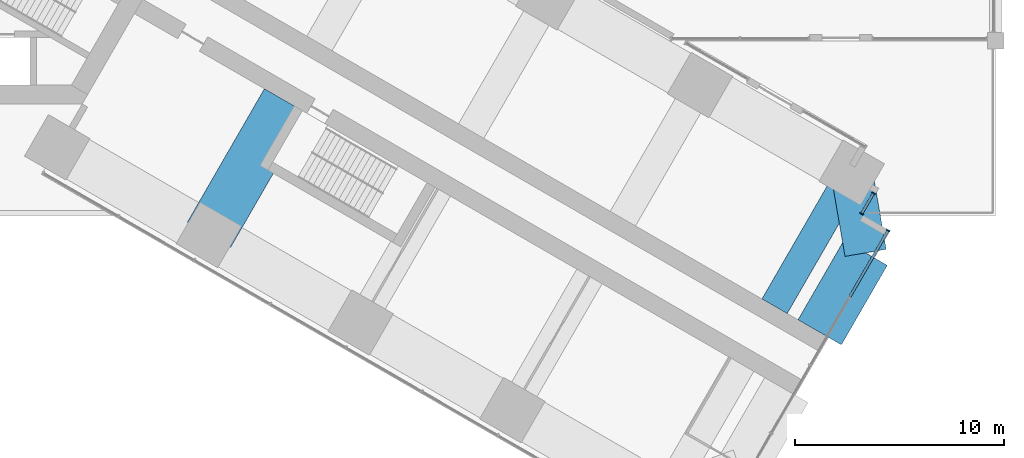
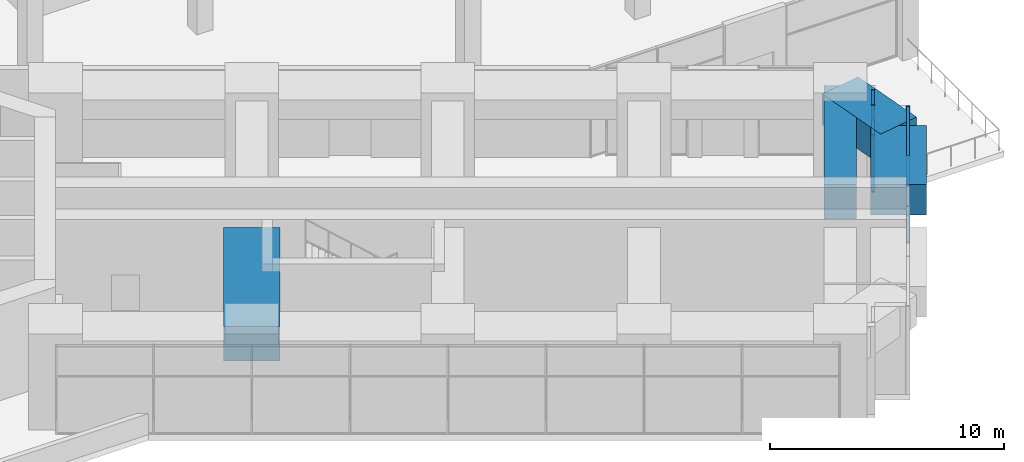
# One storey, part 12 of 33: 9 members, 4 beams, 2 elements without a shape of their own.
"""IFC4 building model written with IfcOpenShell, lengths in metres."""

from ifc_helpers import new_model, si_unit, direction, frame, origin, origin_2d, place, context, subcontext, project, spatial, rectangle, extrude, material, material_profile, profile_set, type_object, element, aggregate, save


model = new_model("IFC4")

# Units and contexts
model_context = context("Model", 3, precision=1e-05, world=origin(), true_north=direction((0.0, 1.0)))
body_context = subcontext(model_context, "Body", "Model", "MODEL_VIEW")
ifc_project = project(units=[si_unit("LENGTHUNIT", "METRE"), si_unit("AREAUNIT", "SQUARE_METRE"), si_unit("VOLUMEUNIT", "CUBIC_METRE"), si_unit("PLANEANGLEUNIT", "RADIAN"), si_unit("MASSUNIT", "GRAM", prefix="KILO")], contexts=[model_context])

# Site, building, storey
site_placement = place(None, origin())
site = spatial("IfcSite", under=ifc_project, at=site_placement, CompositionType="ELEMENT")
building_placement = place(site_placement, origin())
building = spatial("IfcBuilding", under=site, at=building_placement, Name="Impinga Residences", CompositionType="ELEMENT")
storey_placement = place(building_placement, frame((0.0, 0.0, 21.0)))
storey = spatial("IfcBuildingStorey", under=building, at=storey_placement, Name="L04", CompositionType="ELEMENT", Elevation=21.0)

# Beams
ifc_material_1 = material(Name="Concrete C60/75", Category="concrete")
ifc_material_profile_1 = material_profile(ifc_material_1, rectangle(XDim=2.0, YDim=1.60009765625, at=origin_2d()), Name="RC 2000x1600")
ifc_profile_set_1 = profile_set([ifc_material_profile_1], Name="Concrete C60/75")
beam_type_1 = type_object("IfcBeamType", Name="CB2 2000x1600 wing end cantilever beam", PredefinedType="BEAM", material=ifc_profile_set_1)
beam_1_placement = place(storey_placement, frame((43.49853515625, -14.721435546875, 3.800048828125), z_axis=(0.170296298948, -0.985392901621, 0.0), x_axis=(0.985392901621, 0.170296298948, 0.0)))
element("IfcBeam", 1, at=beam_1_placement, inside=storey, type_object=beam_type_1, Name="Beam CB2 EB E5-EX level L05", PredefinedType="BEAM", context=body_context, shape_type="SweptSolid", body=[
    extrude(rectangle(XDim=2.0, YDim=1.60009765625, at=origin_2d()), origin(), (0.0, 0.0, 1.0), 3.9052734375),
])
ifc_material_profile_2 = material_profile(ifc_material_1, rectangle(XDim=1.39990234375, YDim=1.800048828125, at=origin_2d()), Name="RC 1400x1800")
ifc_profile_set_2 = profile_set([ifc_material_profile_2], Name="Concrete C60/75")
beam_type_2 = type_object("IfcBeamType", Name="CG4 1400x1800 cross girder on a wing bay line under the podium floors", PredefinedType="BEAM", material=ifc_profile_set_2)
beam_2_placement = place(storey_placement, frame((39.79833984375, -21.130126953125, 3.699951171875), z_axis=(0.500013743233, 0.86601746898, 0.0), x_axis=(-0.86601746898, 0.500013743233, 0.0)))
element("IfcBeam", 2, at=beam_2_placement, inside=storey, type_object=beam_type_2, Name="Beam CG4 E5 EC/EA level L05", PredefinedType="BEAM", context=body_context, shape_type="SweptSolid", body=[
    extrude(rectangle(XDim=1.39990234375, YDim=1.800048828125, at=origin_2d()), origin(), (0.0, 0.0, 1.0), 7.400146484375),
])
ifc_material_profile_3 = material_profile(ifc_material_1, rectangle(XDim=2.39990234375, YDim=1.800048828125, at=origin_2d()), Name="RC 2400x1800")
ifc_profile_set_3 = profile_set([ifc_material_profile_3], Name="Concrete C60/75")
beam_type_3 = type_object("IfcBeamType", Name="CG6 2400x1800 cross girder on bay line 2 under the first tower floor", PredefinedType="BEAM", material=ifc_profile_set_3)
beam_3_placement = place(storey_placement, frame((16.37451171875, -11.301513671875, 3.699951171875), z_axis=(-0.500003285667, -0.866023506795, 0.0), x_axis=(0.866023506795, -0.500003285667, 0.0)))
element("IfcBeam", 3, at=beam_3_placement, inside=storey, type_object=beam_type_3, Name="Beam CG6 E2 EC/EF level L05", PredefinedType="BEAM", context=body_context, shape_type="SweptSolid", body=[
    extrude(rectangle(XDim=2.39990234375, YDim=1.800048828125, at=origin_2d()), origin(), (0.0, 0.0, 1.0), 7.39990234375),
])

# Curtain wall, members
ifc_material_2 = material(Name="Aluminium stick curtain wall", Category="aluminium")
curtain_wall_type = type_object("IfcCurtainWallType", Name="CW1 podium amenity curtain wall", PredefinedType="USERDEFINED", material=ifc_material_2)
curtain_wall_1_placement = place(storey_placement, origin())
curtain_wall_1 = element("IfcCurtainWall", 4, at=curtain_wall_1_placement, inside=storey, type_object=curtain_wall_type, Name="Curtain wall CW1 L04", ObjectType="STICK CURTAIN WALL", PredefinedType="USERDEFINED")
ifc_material_3 = material(Name="Aluminium mullion", Category="aluminium")
ifc_material_profile_4 = material_profile(ifc_material_3, rectangle(XDim=0.06005859375, YDim=0.179931640625, at=origin_2d()), Name="60x180 mullion")
ifc_profile_set_4 = profile_set([ifc_material_profile_4], Name="Aluminium mullion")
member_type_1 = type_object("IfcMemberType", Name="CW1-M mullion 60x180", PredefinedType="MULLION", material=ifc_profile_set_4)
member_1_placement = place(storey_placement, frame((44.5458984375, -15.707275390625, 0.0), z_axis=(0.0, 0.0, 1.0), x_axis=(-0.50000017485, -0.866025302835, 0.0)))
member_1 = element("IfcMember", 5, at=member_1_placement, type_object=member_type_1, Name="CW1 mullion 1", PredefinedType="MULLION", context=body_context, shape_type="SweptSolid", body=[
    extrude(rectangle(XDim=0.06005859375, YDim=0.179931640625, at=origin_2d()), origin(), (0.0, 0.0, 1.0), 4.60009765625),
])
member_2_placement = place(storey_placement, frame((43.975830078125, -16.694580078125, 0.0), z_axis=(0.0, 0.0, 1.0), x_axis=(-0.50000017485, -0.866025302835, 0.0)))
member_2 = element("IfcMember", 6, at=member_2_placement, type_object=member_type_1, Name="CW1 mullion 2", PredefinedType="MULLION", context=body_context, shape_type="SweptSolid", body=[
    extrude(rectangle(XDim=0.06005859375, YDim=0.179931640625, at=origin_2d()), origin(), (0.0, 0.0, 1.0), 4.60009765625),
])

# Curtain wall, member
curtain_wall_2_placement = place(storey_placement, origin())
curtain_wall_2 = element("IfcCurtainWall", 7, at=curtain_wall_2_placement, inside=storey, type_object=curtain_wall_type, Name="Curtain wall CW1 L04", ObjectType="STICK CURTAIN WALL", PredefinedType="USERDEFINED")
member_3_placement = place(storey_placement, frame((45.244873046875, -17.49658203125, 0.0), z_axis=(0.0, 0.0, 1.0), x_axis=(-0.500000001632, -0.866025402842, 0.0)))
member_3 = element("IfcMember", 8, at=member_3_placement, type_object=member_type_1, Name="CW1 mullion 1", PredefinedType="MULLION", context=body_context, shape_type="SweptSolid", body=[
    extrude(rectangle(XDim=0.06005859375, YDim=0.179931640625, at=origin_2d()), origin(), (0.0, 0.0, 1.0), 4.60009765625),
])

# Member
ifc_material_4 = material(Name="Aluminium transom", Category="aluminium")
ifc_material_profile_5 = material_profile(ifc_material_4, rectangle(XDim=0.06005859375, YDim=0.1201171875, at=origin_2d()), Name="60x120 transom")
ifc_profile_set_5 = profile_set([ifc_material_profile_5], Name="Aluminium transom")
member_type_2 = type_object("IfcMemberType", Name="CW1-T transom 60x120", PredefinedType="USERDEFINED", material=ifc_profile_set_5)
member_4_placement = place(storey_placement, frame((44.531005859375, -15.7333984375, 0.030029296875), z_axis=(-0.500029011134, -0.866008653551, 0.0), x_axis=(0.0, 0.0, 1.0)))
member_4 = element("IfcMember", 9, at=member_4_placement, type_object=member_type_2, Name="CW1 transom 1.1", ObjectType="TRANSOM", PredefinedType="USERDEFINED", context=body_context, shape_type="SweptSolid", body=[
    extrude(rectangle(XDim=0.06005859375, YDim=0.1201171875, at=origin_2d()), origin(), (0.0, 0.0, 1.0), 1.080078125),
])

member_5_placement = place(storey_placement, frame((44.531005859375, -15.7333984375, 3.0), z_axis=(-0.500029011134, -0.866008653551, 0.0), x_axis=(0.0, 0.0, 1.0)))
member_5 = element("IfcMember", 10, at=member_5_placement, type_object=member_type_2, Name="CW1 transom 1.2", ObjectType="TRANSOM", PredefinedType="USERDEFINED", context=body_context, shape_type="SweptSolid", body=[
    extrude(rectangle(XDim=0.06005859375, YDim=0.1201171875, at=origin_2d()), origin(), (0.0, 0.0, 1.0), 1.080078125),
])

member_6_placement = place(storey_placement, frame((44.531005859375, -15.7333984375, 4.570068359375), z_axis=(-0.500029011134, -0.866008653551, 0.0), x_axis=(0.0, 0.0, 1.0)))
member_6 = element("IfcMember", 11, at=member_6_placement, type_object=member_type_2, Name="CW1 transom 1.3", ObjectType="TRANSOM", PredefinedType="USERDEFINED", context=body_context, shape_type="SweptSolid", body=[
    extrude(rectangle(XDim=0.06005859375, YDim=0.1201171875, at=origin_2d()), origin(), (0.0, 0.0, 1.0), 1.080078125),
])

aggregate(curtain_wall_1, [member_1, member_2, member_4, member_5, member_6])

member_7_placement = place(storey_placement, frame((45.22998046875, -17.5224609375, 0.030029296875), z_axis=(-0.500013080017, -0.866017851902, 0.0), x_axis=(0.0, 0.0, 1.0)))
member_7 = element("IfcMember", 12, at=member_7_placement, type_object=member_type_2, Name="CW1 transom 1.1", ObjectType="TRANSOM", PredefinedType="USERDEFINED", context=body_context, shape_type="SweptSolid", body=[
    extrude(rectangle(XDim=0.06005859375, YDim=0.1201171875, at=origin_2d()), origin(), (0.0, 0.0, 1.0), 3.66015625),
])

member_8_placement = place(storey_placement, frame((45.22998046875, -17.5224609375, 3.0), z_axis=(-0.500013080017, -0.866017851902, 0.0), x_axis=(0.0, 0.0, 1.0)))
member_8 = element("IfcMember", 13, at=member_8_placement, type_object=member_type_2, Name="CW1 transom 1.2", ObjectType="TRANSOM", PredefinedType="USERDEFINED", context=body_context, shape_type="SweptSolid", body=[
    extrude(rectangle(XDim=0.06005859375, YDim=0.1201171875, at=origin_2d()), origin(), (0.0, 0.0, 1.0), 3.66015625),
])

member_9_placement = place(storey_placement, frame((45.22998046875, -17.5224609375, 4.570068359375), z_axis=(-0.500013080017, -0.866017851902, 0.0), x_axis=(0.0, 0.0, 1.0)))
member_9 = element("IfcMember", 14, at=member_9_placement, type_object=member_type_2, Name="CW1 transom 1.3", ObjectType="TRANSOM", PredefinedType="USERDEFINED", context=body_context, shape_type="SweptSolid", body=[
    extrude(rectangle(XDim=0.06005859375, YDim=0.1201171875, at=origin_2d()), origin(), (0.0, 0.0, 1.0), 3.66015625),
])

aggregate(curtain_wall_2, [member_3, member_7, member_8, member_9])

# Beam
ifc_material_profile_6 = material_profile(ifc_material_1, rectangle(XDim=2.39990234375, YDim=1.60009765625, at=origin_2d()), Name="RC 2400x1600")
ifc_profile_set_6 = profile_set([ifc_material_profile_6], Name="Concrete C60/75")
beam_type_4 = type_object("IfcBeamType", Name="EB2 2400x1600 wing end beam", PredefinedType="BEAM", material=ifc_profile_set_6)
beam_4_placement = place(storey_placement, frame((44.16357421875, -18.569580078125, 3.800048828125), z_axis=(-0.499988222896, -0.866032203192, 0.0), x_axis=(0.866032203192, -0.499988222896, 0.0)))
element("IfcBeam", 15, at=beam_4_placement, inside=storey, type_object=beam_type_4, Name="Beam EB2 EX4 level L05", PredefinedType="BEAM", context=body_context, shape_type="SweptSolid", body=[
    extrude(rectangle(XDim=2.39990234375, YDim=1.60009765625, at=origin_2d()), origin(), (0.0, 0.0, 1.0), 4.39990234375),
])

save(model, "model.ifc")
